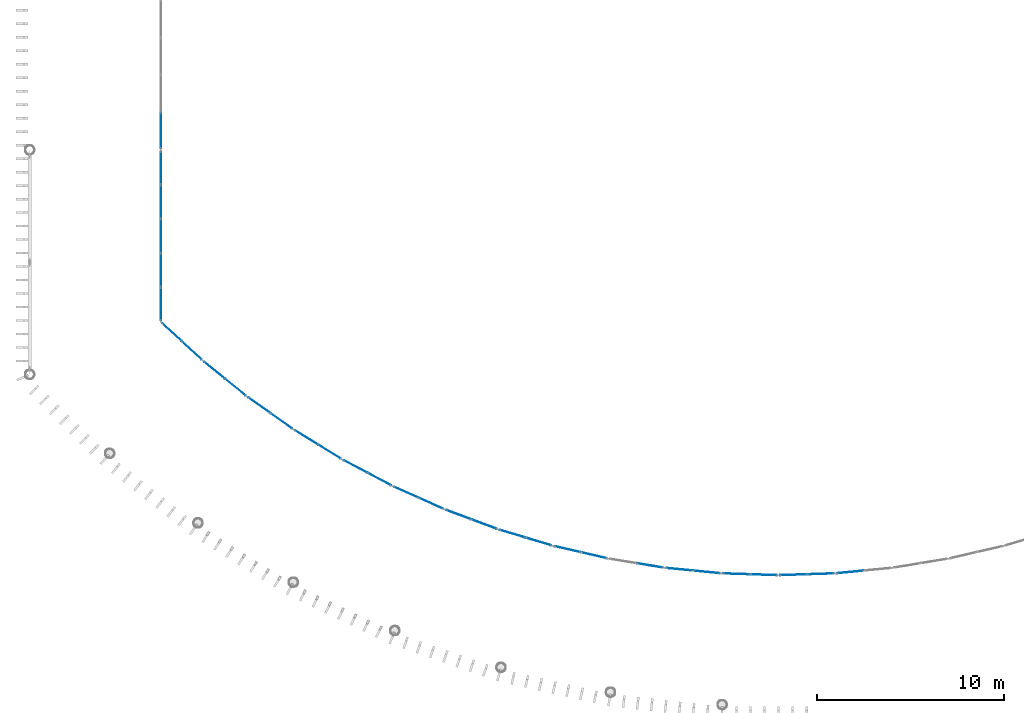
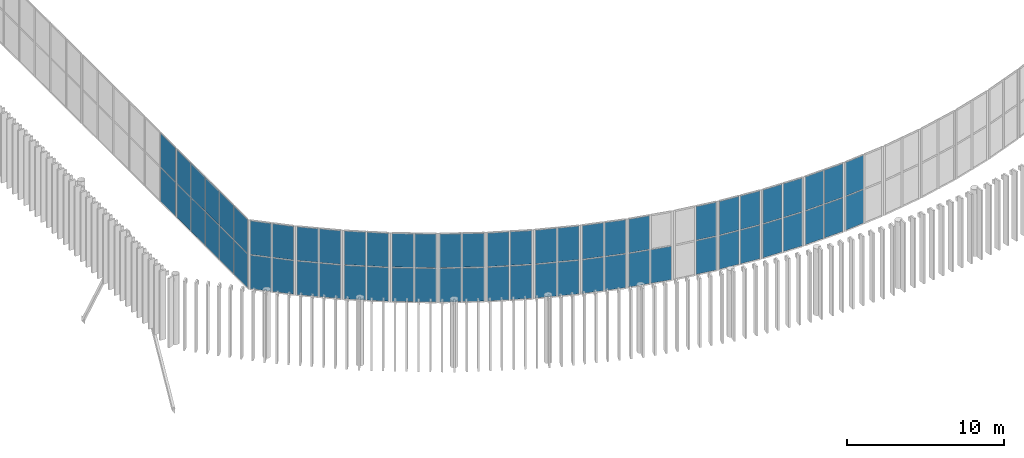
# One storey, part 86 of 170: 63 plates, 16 elements without a shape of their own.
"""IFC4 building model written with IfcOpenShell, lengths in metres."""

import ifcopenshell
import ifcopenshell.guid

model = None  # the IFC model being written
_history = None  # IfcOwnerHistory: only IFC2X3 demands one
_inside = {}  # id of a spatial element -> (the spatial element, [elements in it])
_under = {}  # id of a project, library or spatial element -> (it, [spatial elements below it])
_declared = {}  # id of a project -> (the project, [libraries it declares])
_typed = {}  # id of a type object -> (the type object, [elements of that type])
_made_of = {}  # id of a material, layer set ... -> (it, [elements and type objects made of it])


def new_model(schema):
    """Start an empty IFC model of exactly this schema.

    Asked for "IFC4X3", IfcOpenShell would pick the latest addendum, in which some entities
    have other attributes; the version numbers below select the first issue.
    IFC2X3 requires an IfcOwnerHistory on every rooted entity: one is made here for all.
    """
    global model, _history
    if schema == "IFC4X3":
        model = ifcopenshell.file(schema_version=(4, 3, 0, 0))
    else:
        model = ifcopenshell.file(schema=schema)
    _inside.clear()
    _under.clear()
    _declared.clear()
    _typed.clear()
    _made_of.clear()
    _history = None
    if model.schema == "IFC2X3":
        org = make("IfcOrganization", Name="unknown")
        user = make(
            "IfcPersonAndOrganization",
            ThePerson=make("IfcPerson", FamilyName="unknown"),
            TheOrganization=org,
        )
        app = make(
            "IfcApplication",
            ApplicationDeveloper=org,
            Version="unknown",
            ApplicationFullName="unknown",
            ApplicationIdentifier="unknown",
        )
        _history = make(
            "IfcOwnerHistory",
            OwningUser=user,
            OwningApplication=app,
            ChangeAction="ADDED",
            CreationDate=0,
        )
    return model


def make(cls, **values):
    """One entity of the class cls with the attributes given. An attribute that is None is left unset."""
    return model.create_entity(
        cls, **{name: value for name, value in values.items() if value is not None}
    )


def rooted(cls, **values):
    """An entity with a GlobalId (a new one), such as an element, a storey or a relation."""
    return make(cls, GlobalId=ifcopenshell.guid.new(), OwnerHistory=_history, **values)


def si_unit(unit_type, name, prefix=None):
    """IfcSIUnit, for example si_unit("LENGTHUNIT", "METRE", prefix="MILLI")."""
    return make("IfcSIUnit", UnitType=unit_type, Prefix=prefix, Name=name)


def assignment(units):
    """IfcUnitAssignment: the units of a project."""
    return None if units is None else make("IfcUnitAssignment", Units=units)


def point(xyz):
    """IfcCartesianPoint."""
    return None if xyz is None else make("IfcCartesianPoint", Coordinates=xyz)


def direction(xyz):
    """IfcDirection."""
    return None if xyz is None else make("IfcDirection", DirectionRatios=xyz)


def frame(location, z_axis=None, x_axis=None):
    """IfcAxis2Placement3D, a coordinate frame: its origin and axes. An axis left out is left unset."""
    return make(
        "IfcAxis2Placement3D",
        Location=point(location),
        Axis=direction(z_axis),
        RefDirection=direction(x_axis),
    )


def frame_2d(location, x_axis=None):
    """IfcAxis2Placement2D, a coordinate frame in the plane: its origin and x axis."""
    return make(
        "IfcAxis2Placement2D", Location=point(location), RefDirection=direction(x_axis)
    )


def origin():
    """The frame at (0, 0, 0) with its axes left unset."""
    return frame((0.0, 0.0, 0.0))


def origin_2d():
    """The frame at (0, 0) in the plane with its x axis left unset."""
    return frame_2d((0.0, 0.0))


def place(relative_to, where):
    """IfcLocalPlacement: puts the frame where relative to a parent placement (None: the world)."""
    return make(
        "IfcLocalPlacement", PlacementRelTo=relative_to, RelativePlacement=where
    )


def context(
    kind, dimensions, precision=None, world=None, true_north=None, identifier=None
):
    """IfcGeometricRepresentationContext, for example the 3D "Model" context."""
    return make(
        "IfcGeometricRepresentationContext",
        ContextIdentifier=identifier,
        ContextType=kind,
        CoordinateSpaceDimension=dimensions,
        Precision=precision,
        WorldCoordinateSystem=world,
        TrueNorth=true_north,
    )


def subcontext(parent, identifier, kind, view, scale=None):
    """IfcGeometricRepresentationSubContext, for example "Body" below "Model"."""
    return make(
        "IfcGeometricRepresentationSubContext",
        ContextIdentifier=identifier,
        ContextType=kind,
        ParentContext=parent,
        TargetScale=scale,
        TargetView=view,
    )


def project(units=None, contexts=None):
    """IfcProject with its units and contexts."""
    return rooted(
        "IfcProject",
        Name="project",
        RepresentationContexts=contexts,
        UnitsInContext=assignment(units),
    )


def spatial(cls, under=None, at=None, **own):
    """A site, building, storey or space (cls), placed at a placement, below another one or the project."""
    s = rooted(cls, ObjectPlacement=at, **own)
    if under is not None:
        _under.setdefault(under.id(), (under, []))[1].append(s)
    return s


def profile(cls, at=None, kind="AREA", **sizes):
    """A parametric profile (cls). Its sizes go by their IFC names, for example OverallWidth=200.0."""
    return make(cls, ProfileType=kind, Position=at, **sizes)


def rectangle(**sizes):
    """IfcRectangleProfileDef."""
    return profile("IfcRectangleProfileDef", **sizes)


def extrude(swept, where, along, depth):
    """IfcExtrudedAreaSolid: the profile swept, set in the frame where, extruded along a direction by depth."""
    return make(
        "IfcExtrudedAreaSolid",
        SweptArea=swept,
        Position=where,
        ExtrudedDirection=direction(along),
        Depth=depth,
    )


def shape(context_of_items, identifier, shape_type, items):
    """IfcShapeRepresentation: the items that make up one representation, for example the "Body"."""
    return make(
        "IfcShapeRepresentation",
        ContextOfItems=context_of_items,
        RepresentationIdentifier=identifier,
        RepresentationType=shape_type,
        Items=items,
    )


def material(Name=None, Category=None):
    """IfcMaterial."""
    return make("IfcMaterial", Name=Name, Category=Category)


def layer(
    of_material, thickness, ventilated=None, Name=None, Category=None, Priority=None
):
    """IfcMaterialLayer: one layer of a wall or slab, of a material (None: an air gap)."""
    return make(
        "IfcMaterialLayer",
        Material=of_material,
        LayerThickness=thickness,
        IsVentilated=ventilated,
        Name=Name,
        Category=Category,
        Priority=Priority,
    )


def layer_set(layers, Name=None):
    """IfcMaterialLayerSet."""
    return make("IfcMaterialLayerSet", MaterialLayers=layers, LayerSetName=Name)


def made_of(thing, what):
    """Note that an element or type object is made of a material, layer set ...; save() writes the relation."""
    if what is not None:
        _made_of.setdefault(what.id(), (what, []))[1].append(thing)
    return thing


def type_object(cls, material=None, **own):
    """A type object (cls), such as IfcWallType, which elements share."""
    return made_of(rooted(cls, **own), material)


def element(
    cls,
    number,
    at=None,
    inside=None,
    cuts=None,
    type_object=None,
    material=None,
    context=None,
    identifier="Body",
    shape_type=None,
    held_by="IfcProductDefinitionShape",
    body=None,
    shapes=None,
    **own,
):
    """One element of the class cls, such as IfcWall. Its Tag is "e" and its number.

    at: its placement. inside: the storey or other place that contains it. cuts: it is an
    opening in that element (IfcRelVoidsElement). A single representation is given by context,
    identifier, shape_type and body (its items); several are given by shapes. held_by: the class
    of the entity that holds the representations. save() writes the other relations.
    """
    e = rooted(cls, Tag="e%d" % number, ObjectPlacement=at, **own)
    if body is not None:
        shapes = [shape(context, identifier, shape_type, body)]
    if shapes is not None:
        e.Representation = make(held_by, Representations=shapes)
    if inside is not None:
        _inside.setdefault(inside.id(), (inside, []))[1].append(e)
    if cuts is not None:
        rooted(
            "IfcRelVoidsElement", RelatingBuildingElement=cuts, RelatedOpeningElement=e
        )
    if type_object is not None:
        _typed.setdefault(type_object.id(), (type_object, []))[1].append(e)
    return made_of(e, material)


def aggregate(whole, parts):
    """IfcRelAggregates: a whole, such as a stair, and the parts it consists of."""
    return rooted("IfcRelAggregates", RelatingObject=whole, RelatedObjects=parts)


def save(model, path):
    """Write the relations noted so far, then the file.

    IfcRelAggregates (storeys below a building ...), IfcRelContainedInSpatialStructure (elements
    in a storey), IfcRelDefinesByType, IfcRelAssociatesMaterial and IfcRelDeclares: one each for
    every whole, place, type object, material and project.
    """
    for whole, parts in _under.values():
        aggregate(whole, parts)
    for where, things in _inside.values():
        rooted(
            "IfcRelContainedInSpatialStructure",
            RelatedElements=things,
            RelatingStructure=where,
        )
    for kind, things in _typed.values():
        rooted("IfcRelDefinesByType", RelatedObjects=things, RelatingType=kind)
    for what, things in _made_of.values():
        rooted("IfcRelAssociatesMaterial", RelatedObjects=things, RelatingMaterial=what)
    for by, libraries in _declared.values():
        rooted("IfcRelDeclares", RelatingContext=by, RelatedDefinitions=libraries)
    model.write(path)


model = new_model("IFC4")

# Units and contexts
model_context = context("Model", 3, precision=1e-05, world=origin(), true_north=direction((0.0, 1.0)))
body_context = subcontext(model_context, "Body", "Model", "MODEL_VIEW")
ifc_project = project(units=[si_unit("LENGTHUNIT", "METRE"), si_unit("AREAUNIT", "SQUARE_METRE"), si_unit("VOLUMEUNIT", "CUBIC_METRE"), si_unit("PLANEANGLEUNIT", "RADIAN"), si_unit("MASSUNIT", "GRAM", prefix="KILO")], contexts=[model_context])

# Site, building, storey
site_placement = place(None, origin())
site = spatial("IfcSite", under=ifc_project, at=site_placement, CompositionType="ELEMENT")
building_placement = place(site_placement, origin())
building = spatial("IfcBuilding", under=site, at=building_placement, Name="Ravi Spectrum Wholesale Market", CompositionType="ELEMENT")
storey_placement = place(building_placement, frame((0.0, 0.0, 5.39990234375)))
storey = spatial("IfcBuildingStorey", under=building, at=storey_placement, Name="L01", CompositionType="ELEMENT", Elevation=5.39990234375)

# Curtain wall, plates
ifc_material_1 = material(Name="Aluminium 6063-T6", Category="aluminium")
ifc_layer_1 = layer(ifc_material_1, 0.14990234375)
ifc_layer_set_1 = layer_set([ifc_layer_1], Name="Aluminium 6063-T6")
curtain_wall_type = type_object("IfcCurtainWallType", Name="Curtain wall 150", PredefinedType="NOTDEFINED", material=ifc_layer_set_1)
curtain_wall_1_placement = place(storey_placement, origin())
curtain_wall_1 = element("IfcCurtainWall", 1, at=curtain_wall_1_placement, inside=storey, type_object=curtain_wall_type, Name="H1-CW-L01-001", PredefinedType="NOTDEFINED")
ifc_material_2 = material(Name="Toughened glass", Category="glass")
ifc_layer_2 = layer(ifc_material_2, 0.028076171875)
ifc_layer_set_2 = layer_set([ifc_layer_2], Name="Toughened glass")
plate_type_1 = type_object("IfcPlateType", Name="Glazing panel 28", PredefinedType="CURTAIN_PANEL", material=ifc_layer_set_2)
plate_1_placement = place(storey_placement, frame((37.0, 33.7763671875, 0.06005859375), z_axis=(0.0, 0.0, 1.0), x_axis=(0.0, 1.0, 0.0)))
plate_1 = element("IfcPlate", 2, at=plate_1_placement, type_object=plate_type_1, Name="H1-CW-L01-001 panel 1.1", PredefinedType="CURTAIN_PANEL", context=body_context, shape_type="SweptSolid", body=[
    extrude(rectangle(XDim=1.73193359375, YDim=0.028076171875, at=origin_2d()), origin(), (0.0, 0.0, 1.0), 2.610107421875),
])
plate_2_placement = place(storey_placement, frame((37.0, 33.7763671875, 2.72998046875), z_axis=(0.0, 0.0, 1.0), x_axis=(0.0, 1.0, 0.0)))
plate_2 = element("IfcPlate", 3, at=plate_2_placement, type_object=plate_type_1, Name="H1-CW-L01-001 panel 1.2", PredefinedType="CURTAIN_PANEL", context=body_context, shape_type="SweptSolid", body=[
    extrude(rectangle(XDim=1.73193359375, YDim=0.028076171875, at=origin_2d()), origin(), (0.0, 0.0, 1.0), 2.610107421875),
])
plate_3_placement = place(storey_placement, frame((37.0, 35.583251953125, 0.06005859375), z_axis=(0.0, 0.0, 1.0), x_axis=(0.0, 1.0, 0.0)))
plate_3 = element("IfcPlate", 4, at=plate_3_placement, type_object=plate_type_1, Name="H1-CW-L01-001 panel 2.1", PredefinedType="CURTAIN_PANEL", context=body_context, shape_type="SweptSolid", body=[
    extrude(rectangle(XDim=1.761962890625, YDim=0.028076171875, at=origin_2d()), origin(), (0.0, 0.0, 1.0), 2.610107421875),
])
plate_4_placement = place(storey_placement, frame((37.0, 35.583251953125, 2.72998046875), z_axis=(0.0, 0.0, 1.0), x_axis=(0.0, 1.0, 0.0)))
plate_4 = element("IfcPlate", 5, at=plate_4_placement, type_object=plate_type_1, Name="H1-CW-L01-001 panel 2.2", PredefinedType="CURTAIN_PANEL", context=body_context, shape_type="SweptSolid", body=[
    extrude(rectangle(XDim=1.761962890625, YDim=0.028076171875, at=origin_2d()), origin(), (0.0, 0.0, 1.0), 2.610107421875),
])
plate_5_placement = place(storey_placement, frame((37.0, 37.4052734375, 0.06005859375), z_axis=(0.0, 0.0, 1.0), x_axis=(0.0, 1.0, 0.0)))
plate_5 = element("IfcPlate", 6, at=plate_5_placement, type_object=plate_type_1, Name="H1-CW-L01-001 panel 3.1", PredefinedType="CURTAIN_PANEL", context=body_context, shape_type="SweptSolid", body=[
    extrude(rectangle(XDim=1.761962890625, YDim=0.028076171875, at=origin_2d()), origin(), (0.0, 0.0, 1.0), 2.610107421875),
])
plate_6_placement = place(storey_placement, frame((37.0, 37.4052734375, 2.72998046875), z_axis=(0.0, 0.0, 1.0), x_axis=(0.0, 1.0, 0.0)))
plate_6 = element("IfcPlate", 7, at=plate_6_placement, type_object=plate_type_1, Name="H1-CW-L01-001 panel 3.2", PredefinedType="CURTAIN_PANEL", context=body_context, shape_type="SweptSolid", body=[
    extrude(rectangle(XDim=1.761962890625, YDim=0.028076171875, at=origin_2d()), origin(), (0.0, 0.0, 1.0), 2.610107421875),
])
plate_7_placement = place(storey_placement, frame((37.0, 39.22705078125, 0.06005859375), z_axis=(0.0, 0.0, 1.0), x_axis=(0.0, 1.0, 0.0)))
plate_7 = element("IfcPlate", 8, at=plate_7_placement, type_object=plate_type_1, Name="H1-CW-L01-001 panel 4.1", PredefinedType="CURTAIN_PANEL", context=body_context, shape_type="SweptSolid", body=[
    extrude(rectangle(XDim=1.761962890625, YDim=0.028076171875, at=origin_2d()), origin(), (0.0, 0.0, 1.0), 2.610107421875),
])
plate_8_placement = place(storey_placement, frame((37.0, 39.22705078125, 2.72998046875), z_axis=(0.0, 0.0, 1.0), x_axis=(0.0, 1.0, 0.0)))
plate_8 = element("IfcPlate", 9, at=plate_8_placement, type_object=plate_type_1, Name="H1-CW-L01-001 panel 4.2", PredefinedType="CURTAIN_PANEL", context=body_context, shape_type="SweptSolid", body=[
    extrude(rectangle(XDim=1.761962890625, YDim=0.028076171875, at=origin_2d()), origin(), (0.0, 0.0, 1.0), 2.610107421875),
])
plate_9_placement = place(storey_placement, frame((37.0, 41.033935546875, 0.06005859375), z_axis=(0.0, 0.0, 1.0), x_axis=(0.0, 1.0, 0.0)))
plate_9 = element("IfcPlate", 10, at=plate_9_placement, type_object=plate_type_1, Name="H1-CW-L01-001 panel 5.1", PredefinedType="CURTAIN_PANEL", context=body_context, shape_type="SweptSolid", body=[
    extrude(rectangle(XDim=1.73193359375, YDim=0.028076171875, at=origin_2d()), origin(), (0.0, 0.0, 1.0), 2.610107421875),
])
plate_10_placement = place(storey_placement, frame((37.0, 41.033935546875, 2.72998046875), z_axis=(0.0, 0.0, 1.0), x_axis=(0.0, 1.0, 0.0)))
plate_10 = element("IfcPlate", 11, at=plate_10_placement, type_object=plate_type_1, Name="H1-CW-L01-001 panel 5.2", PredefinedType="CURTAIN_PANEL", context=body_context, shape_type="SweptSolid", body=[
    extrude(rectangle(XDim=1.73193359375, YDim=0.028076171875, at=origin_2d()), origin(), (0.0, 0.0, 1.0), 2.610107421875),
])
aggregate(curtain_wall_1, [plate_1, plate_2, plate_3, plate_4, plate_5, plate_6, plate_7, plate_8, plate_9, plate_10])

curtain_wall_2_placement = place(storey_placement, origin())
curtain_wall_2 = element("IfcCurtainWall", 12, at=curtain_wall_2_placement, inside=storey, type_object=curtain_wall_type, Name="H1-CW-L01-002", PredefinedType="NOTDEFINED")
plate_11_placement = place(storey_placement, frame((37.0, 43.04833984375, 0.06005859375), z_axis=(0.0, 0.0, 1.0), x_axis=(0.0, 1.0, 0.0)))
plate_11 = element("IfcPlate", 13, at=plate_11_placement, type_object=plate_type_1, Name="H1-CW-L01-002 panel 1.1", PredefinedType="CURTAIN_PANEL", context=body_context, shape_type="SweptSolid", body=[
    extrude(rectangle(XDim=1.896728515625, YDim=0.028076171875, at=origin_2d()), origin(), (0.0, 0.0, 1.0), 2.610107421875),
])
plate_12_placement = place(storey_placement, frame((37.0, 43.04833984375, 2.72998046875), z_axis=(0.0, 0.0, 1.0), x_axis=(0.0, 1.0, 0.0)))
plate_12 = element("IfcPlate", 14, at=plate_12_placement, type_object=plate_type_1, Name="H1-CW-L01-002 panel 1.2", PredefinedType="CURTAIN_PANEL", context=body_context, shape_type="SweptSolid", body=[
    extrude(rectangle(XDim=1.896728515625, YDim=0.028076171875, at=origin_2d()), origin(), (0.0, 0.0, 1.0), 2.610107421875),
])
aggregate(curtain_wall_2, [plate_11, plate_12])

curtain_wall_3_placement = place(storey_placement, origin())
curtain_wall_3 = element("IfcCurtainWall", 15, at=curtain_wall_3_placement, inside=storey, type_object=curtain_wall_type, Name="H1-CW-L01-029", PredefinedType="NOTDEFINED")
plate_13_placement = place(storey_placement, frame((37.58544921875, 32.269287109375, 0.06005859375), z_axis=(0.0, 0.0, 1.0), x_axis=(0.734444424621, -0.678668834663, 0.0)))
plate_13 = element("IfcPlate", 16, at=plate_13_placement, type_object=plate_type_1, Name="H1-CW-L01-029 panel 1.1", PredefinedType="CURTAIN_PANEL", context=body_context, shape_type="SweptSolid", body=[
    extrude(rectangle(XDim=1.39404296875, YDim=0.028076171875, at=origin_2d()), origin(), (0.0, 0.0, 1.0), 2.610107421875),
])
plate_14_placement = place(storey_placement, frame((37.58544921875, 32.269287109375, 2.72998046875), z_axis=(0.0, 0.0, 1.0), x_axis=(0.734444424621, -0.678668834663, 0.0)))
plate_14 = element("IfcPlate", 17, at=plate_14_placement, type_object=plate_type_1, Name="H1-CW-L01-029 panel 1.2", PredefinedType="CURTAIN_PANEL", context=body_context, shape_type="SweptSolid", body=[
    extrude(rectangle(XDim=1.39404296875, YDim=0.028076171875, at=origin_2d()), origin(), (0.0, 0.0, 1.0), 2.610107421875),
])
plate_15_placement = place(storey_placement, frame((38.6533203125, 31.282470703125, 0.06005859375), z_axis=(0.0, 0.0, 1.0), x_axis=(0.734444424621, -0.678668834663, 0.0)))
plate_15 = element("IfcPlate", 18, at=plate_15_placement, type_object=plate_type_1, Name="H1-CW-L01-029 panel 2.1", PredefinedType="CURTAIN_PANEL", context=body_context, shape_type="SweptSolid", body=[
    extrude(rectangle(XDim=1.39404296875, YDim=0.028076171875, at=origin_2d()), origin(), (0.0, 0.0, 1.0), 2.610107421875),
])
plate_16_placement = place(storey_placement, frame((38.6533203125, 31.282470703125, 2.72998046875), z_axis=(0.0, 0.0, 1.0), x_axis=(0.734444424621, -0.678668834663, 0.0)))
plate_16 = element("IfcPlate", 19, at=plate_16_placement, type_object=plate_type_1, Name="H1-CW-L01-029 panel 2.2", PredefinedType="CURTAIN_PANEL", context=body_context, shape_type="SweptSolid", body=[
    extrude(rectangle(XDim=1.39404296875, YDim=0.028076171875, at=origin_2d()), origin(), (0.0, 0.0, 1.0), 2.610107421875),
])
aggregate(curtain_wall_3, [plate_13, plate_14, plate_15, plate_16])

curtain_wall_4_placement = place(storey_placement, origin())
curtain_wall_4 = element("IfcCurtainWall", 20, at=curtain_wall_4_placement, inside=storey, type_object=curtain_wall_type, Name="H1-CW-L01-030", PredefinedType="NOTDEFINED")
plate_17_placement = place(storey_placement, frame((39.85791015625, 30.23974609375, 0.06005859375), z_axis=(0.0, 0.0, 1.0), x_axis=(0.776890942844, -0.629635182408, 0.0)))
plate_17 = element("IfcPlate", 21, at=plate_17_placement, type_object=plate_type_1, Name="H1-CW-L01-030 panel 1.1", PredefinedType="CURTAIN_PANEL", context=body_context, shape_type="SweptSolid", body=[
    extrude(rectangle(XDim=1.39404296875, YDim=0.028076171875, at=origin_2d()), origin(), (0.0, 0.0, 1.0), 2.610107421875),
])
plate_18_placement = place(storey_placement, frame((40.987548828125, 29.32421875, 0.06005859375), z_axis=(0.0, 0.0, 1.0), x_axis=(0.776890942844, -0.629635182408, 0.0)))
plate_18 = element("IfcPlate", 22, at=plate_18_placement, type_object=plate_type_1, Name="H1-CW-L01-030 panel 2.1", PredefinedType="CURTAIN_PANEL", context=body_context, shape_type="SweptSolid", body=[
    extrude(rectangle(XDim=1.39404296875, YDim=0.028076171875, at=origin_2d()), origin(), (0.0, 0.0, 1.0), 2.610107421875),
])

curtain_wall_5_placement = place(storey_placement, origin())
curtain_wall_5 = element("IfcCurtainWall", 23, at=curtain_wall_5_placement, inside=storey, type_object=curtain_wall_type, Name="H1-CW-L01-031", PredefinedType="NOTDEFINED")
plate_19_placement = place(storey_placement, frame((42.257080078125, 28.36181640625, 0.06005859375), z_axis=(0.0, 0.0, 1.0), x_axis=(0.816069853372, -0.57795328048, 0.0)))
plate_19 = element("IfcPlate", 24, at=plate_19_placement, type_object=plate_type_1, Name="H1-CW-L01-031 panel 1.1", PredefinedType="CURTAIN_PANEL", context=body_context, shape_type="SweptSolid", body=[
    extrude(rectangle(XDim=1.39404296875, YDim=0.028076171875, at=origin_2d()), origin(), (0.0, 0.0, 1.0), 2.610107421875),
])
plate_20_placement = place(storey_placement, frame((42.257080078125, 28.36181640625, 2.72998046875), z_axis=(0.0, 0.0, 1.0), x_axis=(0.816069853372, -0.57795328048, 0.0)))
plate_20 = element("IfcPlate", 25, at=plate_20_placement, type_object=plate_type_1, Name="H1-CW-L01-031 panel 1.2", PredefinedType="CURTAIN_PANEL", context=body_context, shape_type="SweptSolid", body=[
    extrude(rectangle(XDim=1.39404296875, YDim=0.028076171875, at=origin_2d()), origin(), (0.0, 0.0, 1.0), 2.610107421875),
])
plate_21_placement = place(storey_placement, frame((43.44384765625, 27.521484375, 0.06005859375), z_axis=(0.0, 0.0, 1.0), x_axis=(0.816069853372, -0.57795328048, 0.0)))
plate_21 = element("IfcPlate", 26, at=plate_21_placement, type_object=plate_type_1, Name="H1-CW-L01-031 panel 2.1", PredefinedType="CURTAIN_PANEL", context=body_context, shape_type="SweptSolid", body=[
    extrude(rectangle(XDim=1.39404296875, YDim=0.028076171875, at=origin_2d()), origin(), (0.0, 0.0, 1.0), 2.610107421875),
])
plate_22_placement = place(storey_placement, frame((43.44384765625, 27.521484375, 2.72998046875), z_axis=(0.0, 0.0, 1.0), x_axis=(0.816069853372, -0.57795328048, 0.0)))
plate_22 = element("IfcPlate", 27, at=plate_22_placement, type_object=plate_type_1, Name="H1-CW-L01-031 panel 2.2", PredefinedType="CURTAIN_PANEL", context=body_context, shape_type="SweptSolid", body=[
    extrude(rectangle(XDim=1.39404296875, YDim=0.028076171875, at=origin_2d()), origin(), (0.0, 0.0, 1.0), 2.610107421875),
])
aggregate(curtain_wall_5, [plate_19, plate_20, plate_21, plate_22])

curtain_wall_6_placement = place(storey_placement, origin())
curtain_wall_6 = element("IfcCurtainWall", 28, at=curtain_wall_6_placement, inside=storey, type_object=curtain_wall_type, Name="H1-CW-L01-032", PredefinedType="NOTDEFINED")
plate_23_placement = place(storey_placement, frame((44.773193359375, 26.643310546875, 0.06005859375), z_axis=(0.0, 0.0, 1.0), x_axis=(0.851816369057, -0.523840503785, 0.0)))
plate_23 = element("IfcPlate", 29, at=plate_23_placement, type_object=plate_type_1, Name="H1-CW-L01-032 panel 1.1", PredefinedType="CURTAIN_PANEL", context=body_context, shape_type="SweptSolid", body=[
    extrude(rectangle(XDim=1.39404296875, YDim=0.028076171875, at=origin_2d()), origin(), (0.0, 0.0, 1.0), 2.610107421875),
])
plate_24_placement = place(storey_placement, frame((46.01171875, 25.881591796875, 0.06005859375), z_axis=(0.0, 0.0, 1.0), x_axis=(0.851816369057, -0.523840503785, 0.0)))
plate_24 = element("IfcPlate", 30, at=plate_24_placement, type_object=plate_type_1, Name="H1-CW-L01-032 panel 2.1", PredefinedType="CURTAIN_PANEL", context=body_context, shape_type="SweptSolid", body=[
    extrude(rectangle(XDim=1.39404296875, YDim=0.028076171875, at=origin_2d()), origin(), (0.0, 0.0, 1.0), 2.610107421875),
])
plate_25_placement = place(storey_placement, frame((46.01171875, 25.881591796875, 2.72998046875), z_axis=(0.0, 0.0, 1.0), x_axis=(0.851816369057, -0.523840503785, 0.0)))
plate_25 = element("IfcPlate", 31, at=plate_25_placement, type_object=plate_type_1, Name="H1-CW-L01-032 panel 2.2", PredefinedType="CURTAIN_PANEL", context=body_context, shape_type="SweptSolid", body=[
    extrude(rectangle(XDim=1.39404296875, YDim=0.028076171875, at=origin_2d()), origin(), (0.0, 0.0, 1.0), 2.610107421875),
])

curtain_wall_7_placement = place(storey_placement, origin())
curtain_wall_7 = element("IfcCurtainWall", 32, at=curtain_wall_7_placement, inside=storey, type_object=curtain_wall_type, Name="H1-CW-L01-033", PredefinedType="NOTDEFINED")
plate_26_placement = place(storey_placement, frame((47.395263671875, 25.09130859375, 0.06005859375), z_axis=(0.0, 0.0, 1.0), x_axis=(0.883980139931, -0.467524450919, 0.0)))
plate_26 = element("IfcPlate", 33, at=plate_26_placement, type_object=plate_type_1, Name="H1-CW-L01-033 panel 1.1", PredefinedType="CURTAIN_PANEL", context=body_context, shape_type="SweptSolid", body=[
    extrude(rectangle(XDim=1.39404296875, YDim=0.028076171875, at=origin_2d()), origin(), (0.0, 0.0, 1.0), 2.610107421875),
])
plate_27_placement = place(storey_placement, frame((47.395263671875, 25.09130859375, 2.72998046875), z_axis=(0.0, 0.0, 1.0), x_axis=(0.883980139931, -0.467524450919, 0.0)))
plate_27 = element("IfcPlate", 34, at=plate_27_placement, type_object=plate_type_1, Name="H1-CW-L01-033 panel 1.2", PredefinedType="CURTAIN_PANEL", context=body_context, shape_type="SweptSolid", body=[
    extrude(rectangle(XDim=1.39404296875, YDim=0.028076171875, at=origin_2d()), origin(), (0.0, 0.0, 1.0), 2.610107421875),
])
plate_28_placement = place(storey_placement, frame((48.6806640625, 24.41162109375, 0.06005859375), z_axis=(0.0, 0.0, 1.0), x_axis=(0.883980139931, -0.467524450919, 0.0)))
plate_28 = element("IfcPlate", 35, at=plate_28_placement, type_object=plate_type_1, Name="H1-CW-L01-033 panel 2.1", PredefinedType="CURTAIN_PANEL", context=body_context, shape_type="SweptSolid", body=[
    extrude(rectangle(XDim=1.39404296875, YDim=0.028076171875, at=origin_2d()), origin(), (0.0, 0.0, 1.0), 2.610107421875),
])
plate_29_placement = place(storey_placement, frame((48.6806640625, 24.41162109375, 2.72998046875), z_axis=(0.0, 0.0, 1.0), x_axis=(0.883980139931, -0.467524450919, 0.0)))
plate_29 = element("IfcPlate", 36, at=plate_29_placement, type_object=plate_type_1, Name="H1-CW-L01-033 panel 2.2", PredefinedType="CURTAIN_PANEL", context=body_context, shape_type="SweptSolid", body=[
    extrude(rectangle(XDim=1.39404296875, YDim=0.028076171875, at=origin_2d()), origin(), (0.0, 0.0, 1.0), 2.610107421875),
])
aggregate(curtain_wall_7, [plate_26, plate_27, plate_28, plate_29])

curtain_wall_8_placement = place(storey_placement, origin())
curtain_wall_8 = element("IfcCurtainWall", 37, at=curtain_wall_8_placement, inside=storey, type_object=curtain_wall_type, Name="H1-CW-L01-034", PredefinedType="NOTDEFINED")
plate_30_placement = place(storey_placement, frame((50.1123046875, 23.712890625, 0.06005859375), z_axis=(0.0, 0.0, 1.0), x_axis=(0.912425885012, -0.409241987534, 0.0)))
plate_30 = element("IfcPlate", 38, at=plate_30_placement, type_object=plate_type_1, Name="H1-CW-L01-034 panel 1.1", PredefinedType="CURTAIN_PANEL", context=body_context, shape_type="SweptSolid", body=[
    extrude(rectangle(XDim=1.39404296875, YDim=0.028076171875, at=origin_2d()), origin(), (0.0, 0.0, 1.0), 2.610107421875),
])
plate_31_placement = place(storey_placement, frame((51.439208984375, 23.11767578125, 0.06005859375), z_axis=(0.0, 0.0, 1.0), x_axis=(0.912425885012, -0.409241987534, 0.0)))
plate_31 = element("IfcPlate", 39, at=plate_31_placement, type_object=plate_type_1, Name="H1-CW-L01-034 panel 2.1", PredefinedType="CURTAIN_PANEL", context=body_context, shape_type="SweptSolid", body=[
    extrude(rectangle(XDim=1.39404296875, YDim=0.028076171875, at=origin_2d()), origin(), (0.0, 0.0, 1.0), 2.610107421875),
])
plate_32_placement = place(storey_placement, frame((51.439208984375, 23.11767578125, 2.72998046875), z_axis=(0.0, 0.0, 1.0), x_axis=(0.912425885012, -0.409241987534, 0.0)))
plate_32 = element("IfcPlate", 40, at=plate_32_placement, type_object=plate_type_1, Name="H1-CW-L01-034 panel 2.2", PredefinedType="CURTAIN_PANEL", context=body_context, shape_type="SweptSolid", body=[
    extrude(rectangle(XDim=1.39404296875, YDim=0.028076171875, at=origin_2d()), origin(), (0.0, 0.0, 1.0), 2.610107421875),
])

curtain_wall_9_placement = place(storey_placement, origin())
curtain_wall_9 = element("IfcCurtainWall", 41, at=curtain_wall_9_placement, inside=storey, type_object=curtain_wall_type, Name="H1-CW-L01-035", PredefinedType="NOTDEFINED")
plate_33_placement = place(storey_placement, frame((52.9130859375, 22.51318359375, 0.06005859375), z_axis=(0.0, 0.0, 1.0), x_axis=(0.937033961456, -0.349238249734, 0.0)))
plate_33 = element("IfcPlate", 42, at=plate_33_placement, type_object=plate_type_1, Name="H1-CW-L01-035 panel 1.1", PredefinedType="CURTAIN_PANEL", context=body_context, shape_type="SweptSolid", body=[
    extrude(rectangle(XDim=1.39404296875, YDim=0.028076171875, at=origin_2d()), origin(), (0.0, 0.0, 1.0), 2.610107421875),
])
plate_34_placement = place(storey_placement, frame((52.9130859375, 22.51318359375, 2.72998046875), z_axis=(0.0, 0.0, 1.0), x_axis=(0.937033961456, -0.349238249734, 0.0)))
plate_34 = element("IfcPlate", 43, at=plate_34_placement, type_object=plate_type_1, Name="H1-CW-L01-035 panel 1.2", PredefinedType="CURTAIN_PANEL", context=body_context, shape_type="SweptSolid", body=[
    extrude(rectangle(XDim=1.39404296875, YDim=0.028076171875, at=origin_2d()), origin(), (0.0, 0.0, 1.0), 2.610107421875),
])
plate_35_placement = place(storey_placement, frame((54.275634765625, 22.00537109375, 0.06005859375), z_axis=(0.0, 0.0, 1.0), x_axis=(0.937033961456, -0.349238249734, 0.0)))
plate_35 = element("IfcPlate", 44, at=plate_35_placement, type_object=plate_type_1, Name="H1-CW-L01-035 panel 2.1", PredefinedType="CURTAIN_PANEL", context=body_context, shape_type="SweptSolid", body=[
    extrude(rectangle(XDim=1.39404296875, YDim=0.028076171875, at=origin_2d()), origin(), (0.0, 0.0, 1.0), 2.610107421875),
])

curtain_wall_10_placement = place(storey_placement, origin())
curtain_wall_10 = element("IfcCurtainWall", 45, at=curtain_wall_10_placement, inside=storey, type_object=curtain_wall_type, Name="H1-CW-L01-036", PredefinedType="NOTDEFINED")
plate_36_placement = place(storey_placement, frame((55.785888671875, 21.49755859375, 0.06005859375), z_axis=(0.0, 0.0, 1.0), x_axis=(0.957700867469, -0.287765613735, 0.0)))
plate_36 = element("IfcPlate", 46, at=plate_36_placement, type_object=plate_type_1, Name="H1-CW-L01-036 panel 1.1", PredefinedType="CURTAIN_PANEL", context=body_context, shape_type="SweptSolid", body=[
    extrude(rectangle(XDim=1.39404296875, YDim=0.028076171875, at=origin_2d()), origin(), (0.0, 0.0, 1.0), 2.610107421875),
])
plate_37_placement = place(storey_placement, frame((55.785888671875, 21.49755859375, 2.72998046875), z_axis=(0.0, 0.0, 1.0), x_axis=(0.957700867469, -0.287765613735, 0.0)))
plate_37 = element("IfcPlate", 47, at=plate_37_placement, type_object=plate_type_1, Name="H1-CW-L01-036 panel 1.2", PredefinedType="CURTAIN_PANEL", context=body_context, shape_type="SweptSolid", body=[
    extrude(rectangle(XDim=1.39404296875, YDim=0.028076171875, at=origin_2d()), origin(), (0.0, 0.0, 1.0), 2.610107421875),
])
plate_38_placement = place(storey_placement, frame((57.178466796875, 21.079345703125, 0.06005859375), z_axis=(0.0, 0.0, 1.0), x_axis=(0.957700867469, -0.287765613735, 0.0)))
plate_38 = element("IfcPlate", 48, at=plate_38_placement, type_object=plate_type_1, Name="H1-CW-L01-036 panel 2.1", PredefinedType="CURTAIN_PANEL", context=body_context, shape_type="SweptSolid", body=[
    extrude(rectangle(XDim=1.39404296875, YDim=0.028076171875, at=origin_2d()), origin(), (0.0, 0.0, 1.0), 2.610107421875),
])
plate_39_placement = place(storey_placement, frame((57.178466796875, 21.079345703125, 2.72998046875), z_axis=(0.0, 0.0, 1.0), x_axis=(0.957700867469, -0.287765613735, 0.0)))
plate_39 = element("IfcPlate", 49, at=plate_39_placement, type_object=plate_type_1, Name="H1-CW-L01-036 panel 2.2", PredefinedType="CURTAIN_PANEL", context=body_context, shape_type="SweptSolid", body=[
    extrude(rectangle(XDim=1.39404296875, YDim=0.028076171875, at=origin_2d()), origin(), (0.0, 0.0, 1.0), 2.610107421875),
])
aggregate(curtain_wall_10, [plate_36, plate_37, plate_38, plate_39])

curtain_wall_11_placement = place(storey_placement, origin())
curtain_wall_11 = element("IfcCurtainWall", 50, at=curtain_wall_11_placement, inside=storey, type_object=curtain_wall_type, Name="H1-CW-L01-037", PredefinedType="NOTDEFINED")
plate_40_placement = place(storey_placement, frame((58.71826171875, 20.67041015625, 0.06005859375), z_axis=(0.0, 0.0, 1.0), x_axis=(0.97433967791, -0.225082633827, 0.0)))
plate_40 = element("IfcPlate", 51, at=plate_40_placement, type_object=plate_type_1, Name="H1-CW-L01-037 panel 1.1", PredefinedType="CURTAIN_PANEL", context=body_context, shape_type="SweptSolid", body=[
    extrude(rectangle(XDim=1.39404296875, YDim=0.028076171875, at=origin_2d()), origin(), (0.0, 0.0, 1.0), 2.610107421875),
])
plate_41_placement = place(storey_placement, frame((58.71826171875, 20.67041015625, 2.72998046875), z_axis=(0.0, 0.0, 1.0), x_axis=(0.97433967791, -0.225082633827, 0.0)))
plate_41 = element("IfcPlate", 52, at=plate_41_placement, type_object=plate_type_1, Name="H1-CW-L01-037 panel 1.2", PredefinedType="CURTAIN_PANEL", context=body_context, shape_type="SweptSolid", body=[
    extrude(rectangle(XDim=1.39404296875, YDim=0.028076171875, at=origin_2d()), origin(), (0.0, 0.0, 1.0), 2.610107421875),
])
plate_42_placement = place(storey_placement, frame((60.135009765625, 20.34326171875, 0.06005859375), z_axis=(0.0, 0.0, 1.0), x_axis=(0.97433967791, -0.225082633827, 0.0)))
plate_42 = element("IfcPlate", 53, at=plate_42_placement, type_object=plate_type_1, Name="H1-CW-L01-037 panel 2.1", PredefinedType="CURTAIN_PANEL", context=body_context, shape_type="SweptSolid", body=[
    extrude(rectangle(XDim=1.39404296875, YDim=0.028076171875, at=origin_2d()), origin(), (0.0, 0.0, 1.0), 2.610107421875),
])
aggregate(curtain_wall_11, [plate_40, plate_41, plate_42])

curtain_wall_12_placement = place(storey_placement, origin())
curtain_wall_12 = element("IfcCurtainWall", 54, at=curtain_wall_12_placement, inside=storey, type_object=curtain_wall_type, Name="H1-CW-L01-038", PredefinedType="NOTDEFINED")
plate_43_placement = place(storey_placement, frame((63.13330078125, 19.80029296875, 0.06005859375), z_axis=(0.0, 0.0, 1.0), x_axis=(0.986880409895, -0.161452954652, 0.0)))
plate_43 = element("IfcPlate", 55, at=plate_43_placement, type_object=plate_type_1, Name="H1-CW-L01-038 panel 2.1", PredefinedType="CURTAIN_PANEL", context=body_context, shape_type="SweptSolid", body=[
    extrude(rectangle(XDim=1.39404296875, YDim=0.028076171875, at=origin_2d()), origin(), (0.0, 0.0, 1.0), 2.610107421875),
])
plate_44_placement = place(storey_placement, frame((63.13330078125, 19.80029296875, 2.72998046875), z_axis=(0.0, 0.0, 1.0), x_axis=(0.986880409895, -0.161452954652, 0.0)))
plate_44 = element("IfcPlate", 56, at=plate_44_placement, type_object=plate_type_1, Name="H1-CW-L01-038 panel 2.2", PredefinedType="CURTAIN_PANEL", context=body_context, shape_type="SweptSolid", body=[
    extrude(rectangle(XDim=1.39404296875, YDim=0.028076171875, at=origin_2d()), origin(), (0.0, 0.0, 1.0), 2.610107421875),
])
aggregate(curtain_wall_12, [plate_43, plate_44])

curtain_wall_13_placement = place(storey_placement, origin())
curtain_wall_13 = element("IfcCurtainWall", 57, at=curtain_wall_13_placement, inside=storey, type_object=curtain_wall_type, Name="H1-CW-L01-039", PredefinedType="NOTDEFINED")
plate_45_placement = place(storey_placement, frame((64.713134765625, 19.59423828125, 0.06005859375), z_axis=(0.0, 0.0, 1.0), x_axis=(0.995270316887, -0.097144203758, 0.0)))
plate_45 = element("IfcPlate", 58, at=plate_45_placement, type_object=plate_type_1, Name="H1-CW-L01-039 panel 1.1", PredefinedType="CURTAIN_PANEL", context=body_context, shape_type="SweptSolid", body=[
    extrude(rectangle(XDim=1.39404296875, YDim=0.028076171875, at=origin_2d()), origin(), (0.0, 0.0, 1.0), 2.610107421875),
])
plate_46_placement = place(storey_placement, frame((66.16015625, 19.452880859375, 0.06005859375), z_axis=(0.0, 0.0, 1.0), x_axis=(0.995270316887, -0.097144203758, 0.0)))
plate_46 = element("IfcPlate", 59, at=plate_46_placement, type_object=plate_type_1, Name="H1-CW-L01-039 panel 2.1", PredefinedType="CURTAIN_PANEL", context=body_context, shape_type="SweptSolid", body=[
    extrude(rectangle(XDim=1.39404296875, YDim=0.028076171875, at=origin_2d()), origin(), (0.0, 0.0, 1.0), 2.610107421875),
])
plate_47_placement = place(storey_placement, frame((66.16015625, 19.452880859375, 2.72998046875), z_axis=(0.0, 0.0, 1.0), x_axis=(0.995270316887, -0.097144203758, 0.0)))
plate_47 = element("IfcPlate", 60, at=plate_47_placement, type_object=plate_type_1, Name="H1-CW-L01-039 panel 2.2", PredefinedType="CURTAIN_PANEL", context=body_context, shape_type="SweptSolid", body=[
    extrude(rectangle(XDim=1.39404296875, YDim=0.028076171875, at=origin_2d()), origin(), (0.0, 0.0, 1.0), 2.610107421875),
])

curtain_wall_14_placement = place(storey_placement, origin())
curtain_wall_14 = element("IfcCurtainWall", 61, at=curtain_wall_14_placement, inside=storey, type_object=curtain_wall_type, Name="H1-CW-L01-040", PredefinedType="NOTDEFINED")
plate_48_placement = place(storey_placement, frame((67.75, 19.349609375, 0.06005859375), z_axis=(0.0, 0.0, 1.0), x_axis=(0.999474110967, -0.032426863955, 0.0)))
plate_48 = element("IfcPlate", 62, at=plate_48_placement, type_object=plate_type_1, Name="H1-CW-L01-040 panel 1.1", PredefinedType="CURTAIN_PANEL", context=body_context, shape_type="SweptSolid", body=[
    extrude(rectangle(XDim=1.39404296875, YDim=0.028076171875, at=origin_2d()), origin(), (0.0, 0.0, 1.0), 2.610107421875),
])
plate_49_placement = place(storey_placement, frame((67.75, 19.349609375, 2.72998046875), z_axis=(0.0, 0.0, 1.0), x_axis=(0.999474110967, -0.032426863955, 0.0)))
plate_49 = element("IfcPlate", 63, at=plate_49_placement, type_object=plate_type_1, Name="H1-CW-L01-040 panel 1.2", PredefinedType="CURTAIN_PANEL", context=body_context, shape_type="SweptSolid", body=[
    extrude(rectangle(XDim=1.39404296875, YDim=0.028076171875, at=origin_2d()), origin(), (0.0, 0.0, 1.0), 2.610107421875),
])
plate_50_placement = place(storey_placement, frame((69.203369140625, 19.302490234375, 0.06005859375), z_axis=(0.0, 0.0, 1.0), x_axis=(0.999474110967, -0.032426863955, 0.0)))
plate_50 = element("IfcPlate", 64, at=plate_50_placement, type_object=plate_type_1, Name="H1-CW-L01-040 panel 2.1", PredefinedType="CURTAIN_PANEL", context=body_context, shape_type="SweptSolid", body=[
    extrude(rectangle(XDim=1.39404296875, YDim=0.028076171875, at=origin_2d()), origin(), (0.0, 0.0, 1.0), 2.610107421875),
])
plate_51_placement = place(storey_placement, frame((69.203369140625, 19.302490234375, 2.72998046875), z_axis=(0.0, 0.0, 1.0), x_axis=(0.999474110967, -0.032426863955, 0.0)))
plate_51 = element("IfcPlate", 65, at=plate_51_placement, type_object=plate_type_1, Name="H1-CW-L01-040 panel 2.2", PredefinedType="CURTAIN_PANEL", context=body_context, shape_type="SweptSolid", body=[
    extrude(rectangle(XDim=1.39404296875, YDim=0.028076171875, at=origin_2d()), origin(), (0.0, 0.0, 1.0), 2.610107421875),
])
aggregate(curtain_wall_14, [plate_48, plate_49, plate_50, plate_51])

curtain_wall_15_placement = place(storey_placement, origin())
curtain_wall_15 = element("IfcCurtainWall", 66, at=curtain_wall_15_placement, inside=storey, type_object=curtain_wall_type, Name="H1-CW-L01-041", PredefinedType="NOTDEFINED")
plate_52_placement = place(storey_placement, frame((70.796630859375, 19.302490234375, 0.06005859375), z_axis=(0.0, 0.0, 1.0), x_axis=(0.999474110967, 0.032426863955, 0.0)))
plate_52 = element("IfcPlate", 67, at=plate_52_placement, type_object=plate_type_1, Name="H1-CW-L01-041 panel 1.1", PredefinedType="CURTAIN_PANEL", context=body_context, shape_type="SweptSolid", body=[
    extrude(rectangle(XDim=1.39404296875, YDim=0.028076171875, at=origin_2d()), origin(), (0.0, 0.0, 1.0), 2.610107421875),
])
plate_53_placement = place(storey_placement, frame((70.796630859375, 19.302490234375, 2.72998046875), z_axis=(0.0, 0.0, 1.0), x_axis=(0.999474110967, 0.032426863955, 0.0)))
plate_53 = element("IfcPlate", 68, at=plate_53_placement, type_object=plate_type_1, Name="H1-CW-L01-041 panel 1.2", PredefinedType="CURTAIN_PANEL", context=body_context, shape_type="SweptSolid", body=[
    extrude(rectangle(XDim=1.39404296875, YDim=0.028076171875, at=origin_2d()), origin(), (0.0, 0.0, 1.0), 2.610107421875),
])
plate_54_placement = place(storey_placement, frame((72.25, 19.349609375, 0.06005859375), z_axis=(0.0, 0.0, 1.0), x_axis=(0.999474110967, 0.032426863955, 0.0)))
plate_54 = element("IfcPlate", 69, at=plate_54_placement, type_object=plate_type_1, Name="H1-CW-L01-041 panel 2.1", PredefinedType="CURTAIN_PANEL", context=body_context, shape_type="SweptSolid", body=[
    extrude(rectangle(XDim=1.39404296875, YDim=0.028076171875, at=origin_2d()), origin(), (0.0, 0.0, 1.0), 2.610107421875),
])
plate_55_placement = place(storey_placement, frame((72.25, 19.349609375, 2.72998046875), z_axis=(0.0, 0.0, 1.0), x_axis=(0.999474110967, 0.032426863955, 0.0)))
plate_55 = element("IfcPlate", 70, at=plate_55_placement, type_object=plate_type_1, Name="H1-CW-L01-041 panel 2.2", PredefinedType="CURTAIN_PANEL", context=body_context, shape_type="SweptSolid", body=[
    extrude(rectangle(XDim=1.39404296875, YDim=0.028076171875, at=origin_2d()), origin(), (0.0, 0.0, 1.0), 2.610107421875),
])
aggregate(curtain_wall_15, [plate_52, plate_53, plate_54, plate_55])

curtain_wall_16_placement = place(storey_placement, origin())
curtain_wall_16 = element("IfcCurtainWall", 71, at=curtain_wall_16_placement, inside=storey, type_object=curtain_wall_type, Name="H1-CW-L01-042", PredefinedType="NOTDEFINED")
plate_56_placement = place(storey_placement, frame((73.83984375, 19.452880859375, 0.06005859375), z_axis=(0.0, 0.0, 1.0), x_axis=(0.995270316887, 0.097144203758, 0.0)))
plate_56 = element("IfcPlate", 72, at=plate_56_placement, type_object=plate_type_1, Name="H1-CW-L01-042 panel 1.1", PredefinedType="CURTAIN_PANEL", context=body_context, shape_type="SweptSolid", body=[
    extrude(rectangle(XDim=1.39404296875, YDim=0.028076171875, at=origin_2d()), origin(), (0.0, 0.0, 1.0), 2.610107421875),
])
plate_57_placement = place(storey_placement, frame((73.83984375, 19.452880859375, 2.72998046875), z_axis=(0.0, 0.0, 1.0), x_axis=(0.995270316887, 0.097144203758, 0.0)))
plate_57 = element("IfcPlate", 73, at=plate_57_placement, type_object=plate_type_1, Name="H1-CW-L01-042 panel 1.2", PredefinedType="CURTAIN_PANEL", context=body_context, shape_type="SweptSolid", body=[
    extrude(rectangle(XDim=1.39404296875, YDim=0.028076171875, at=origin_2d()), origin(), (0.0, 0.0, 1.0), 2.610107421875),
])
aggregate(curtain_wall_16, [plate_56, plate_57])

# Plate
ifc_material_3 = material(Name="Insulated panel")
ifc_layer_3 = layer(ifc_material_3, 0.028076171875)
ifc_layer_set_3 = layer_set([ifc_layer_3], Name="Insulated panel")
plate_type_2 = type_object("IfcPlateType", Name="Opaque insulated panel 28", PredefinedType="CURTAIN_PANEL", material=ifc_layer_set_3)
plate_58_placement = place(storey_placement, frame((39.85791015625, 30.23974609375, 2.72998046875), z_axis=(0.0, 0.0, 1.0), x_axis=(0.776890942844, -0.629635182408, 0.0)))
plate_58 = element("IfcPlate", 74, at=plate_58_placement, type_object=plate_type_2, Name="H1-CW-L01-030 panel 1.2", PredefinedType="CURTAIN_PANEL", context=body_context, shape_type="SweptSolid", body=[
    extrude(rectangle(XDim=1.39404296875, YDim=0.028076171875, at=origin_2d()), origin(), (0.0, 0.0, 1.0), 2.610107421875),
])

plate_59_placement = place(storey_placement, frame((40.987548828125, 29.32421875, 2.72998046875), z_axis=(0.0, 0.0, 1.0), x_axis=(0.776890942844, -0.629635182408, 0.0)))
plate_59 = element("IfcPlate", 75, at=plate_59_placement, type_object=plate_type_2, Name="H1-CW-L01-030 panel 2.2", PredefinedType="CURTAIN_PANEL", context=body_context, shape_type="SweptSolid", body=[
    extrude(rectangle(XDim=1.39404296875, YDim=0.028076171875, at=origin_2d()), origin(), (0.0, 0.0, 1.0), 2.610107421875),
])

aggregate(curtain_wall_4, [plate_17, plate_58, plate_18, plate_59])

plate_60_placement = place(storey_placement, frame((44.773193359375, 26.643310546875, 2.72998046875), z_axis=(0.0, 0.0, 1.0), x_axis=(0.851816369057, -0.523840503785, 0.0)))
plate_60 = element("IfcPlate", 76, at=plate_60_placement, type_object=plate_type_2, Name="H1-CW-L01-032 panel 1.2", PredefinedType="CURTAIN_PANEL", context=body_context, shape_type="SweptSolid", body=[
    extrude(rectangle(XDim=1.39404296875, YDim=0.028076171875, at=origin_2d()), origin(), (0.0, 0.0, 1.0), 2.610107421875),
])

aggregate(curtain_wall_6, [plate_23, plate_60, plate_24, plate_25])

plate_61_placement = place(storey_placement, frame((50.1123046875, 23.712890625, 2.72998046875), z_axis=(0.0, 0.0, 1.0), x_axis=(0.912425885012, -0.409241987534, 0.0)))
plate_61 = element("IfcPlate", 77, at=plate_61_placement, type_object=plate_type_2, Name="H1-CW-L01-034 panel 1.2", PredefinedType="CURTAIN_PANEL", context=body_context, shape_type="SweptSolid", body=[
    extrude(rectangle(XDim=1.39404296875, YDim=0.028076171875, at=origin_2d()), origin(), (0.0, 0.0, 1.0), 2.610107421875),
])

aggregate(curtain_wall_8, [plate_30, plate_61, plate_31, plate_32])

plate_62_placement = place(storey_placement, frame((54.275634765625, 22.00537109375, 2.72998046875), z_axis=(0.0, 0.0, 1.0), x_axis=(0.937033961456, -0.349238249734, 0.0)))
plate_62 = element("IfcPlate", 78, at=plate_62_placement, type_object=plate_type_2, Name="H1-CW-L01-035 panel 2.2", PredefinedType="CURTAIN_PANEL", context=body_context, shape_type="SweptSolid", body=[
    extrude(rectangle(XDim=1.39404296875, YDim=0.028076171875, at=origin_2d()), origin(), (0.0, 0.0, 1.0), 2.610107421875),
])

aggregate(curtain_wall_9, [plate_33, plate_34, plate_35, plate_62])

plate_63_placement = place(storey_placement, frame((64.713134765625, 19.59423828125, 2.72998046875), z_axis=(0.0, 0.0, 1.0), x_axis=(0.995270316887, -0.097144203758, 0.0)))
plate_63 = element("IfcPlate", 79, at=plate_63_placement, type_object=plate_type_2, Name="H1-CW-L01-039 panel 1.2", PredefinedType="CURTAIN_PANEL", context=body_context, shape_type="SweptSolid", body=[
    extrude(rectangle(XDim=1.39404296875, YDim=0.028076171875, at=origin_2d()), origin(), (0.0, 0.0, 1.0), 2.610107421875),
])

aggregate(curtain_wall_13, [plate_45, plate_63, plate_46, plate_47])

save(model, "model.ifc")
